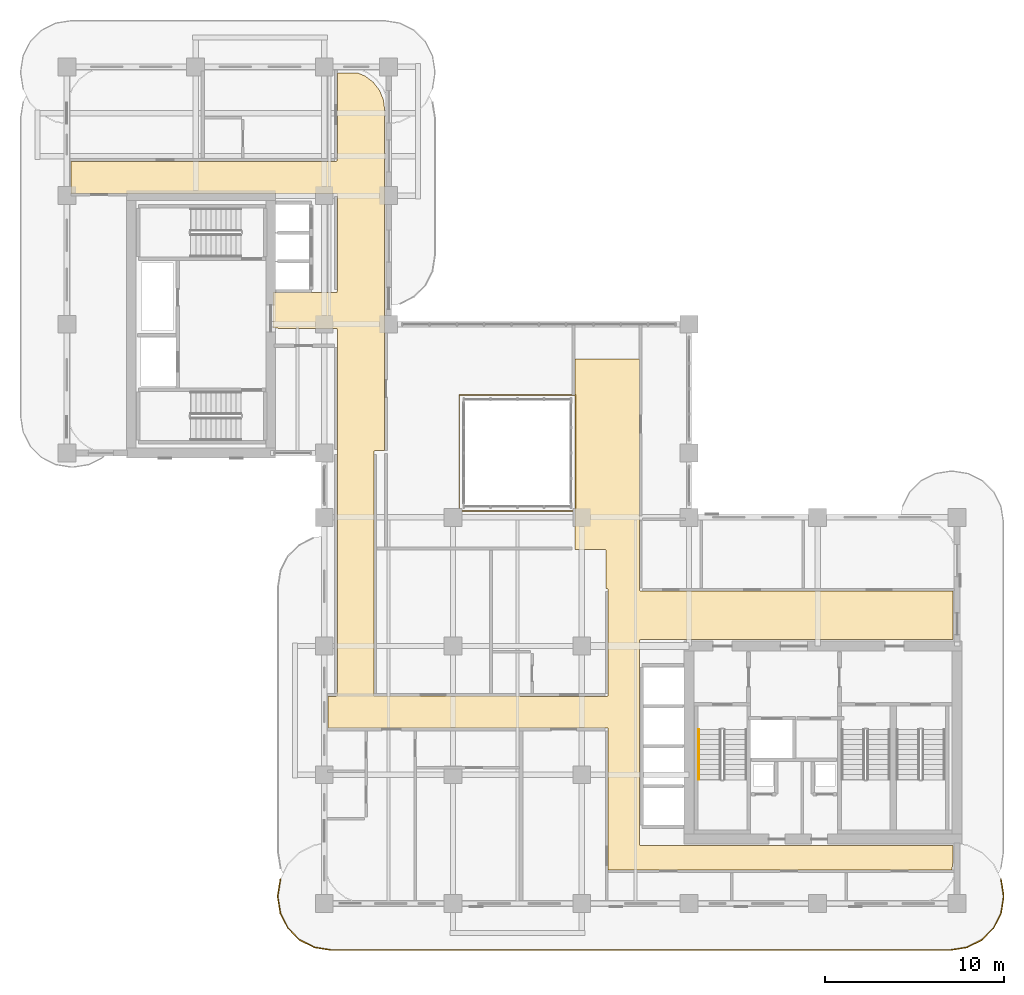
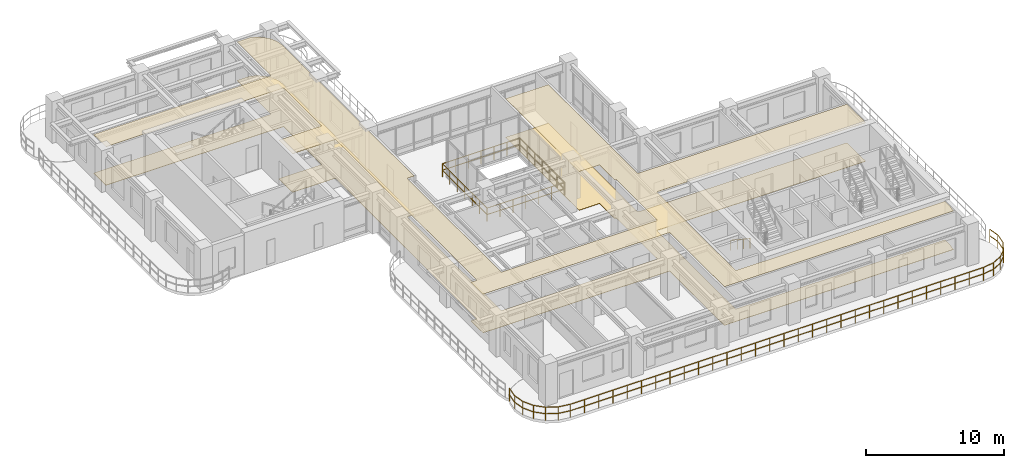
# One storey, part 18 of 20: 3 railings, 2 coverings.
"""IFC4 building model written with IfcOpenShell, lengths in metres."""

from ifc_helpers import new_model, si_unit, derived_unit, direction, frame, origin, origin_2d, place, context, subcontext, project, spatial, polyline, rectangle, outline, extrude, material, layer, layer_set, type_object, element, save


model = new_model("IFC4")

# Units and contexts
model_context = context("Model", 3, precision=1e-05, world=origin(), true_north=direction((0.0, 1.0)))
body_context = subcontext(model_context, "Body", "Model", "MODEL_VIEW")
ifc_project = project(units=[si_unit("LENGTHUNIT", "METRE"), si_unit("AREAUNIT", "SQUARE_METRE"), si_unit("VOLUMEUNIT", "CUBIC_METRE"), si_unit("PLANEANGLEUNIT", "RADIAN"), si_unit("MASSUNIT", "GRAM", prefix="KILO"), si_unit("THERMODYNAMICTEMPERATUREUNIT", "KELVIN"), si_unit("POWERUNIT", "WATT"), derived_unit("THERMALTRANSMITTANCEUNIT", [(si_unit("POWERUNIT", "WATT"), 1), (si_unit("AREAUNIT", "SQUARE_METRE"), -1), (si_unit("THERMODYNAMICTEMPERATUREUNIT", "KELVIN"), -1)])], contexts=[model_context])

# Site, building, storey
site_placement = place(None, origin())
site = spatial("IfcSite", under=ifc_project, at=site_placement, CompositionType="ELEMENT")
building_placement = place(site_placement, origin())
building = spatial("IfcBuilding", under=site, at=building_placement, Name="Zahravan Archway Hotel and Residences", CompositionType="ELEMENT")
storey_placement = place(building_placement, frame((0.0, 0.0, 115.5)))
storey = spatial("IfcBuildingStorey", under=building, at=storey_placement, Name="L28", CompositionType="ELEMENT", Elevation=115.5)

# Coverings
ifc_material_1 = material(Name="Perforated Acoustic Gypsum Ceiling")
ifc_layer_1 = layer(ifc_material_1, 0.02490234375, Name="Perforated Acoustic Gypsum Ceiling")
ifc_layer_set_1 = layer_set([ifc_layer_1], Name="Perforated Acoustic Gypsum Ceiling")
covering_type_1 = type_object("IfcCoveringType", Name="COV-CEIL-ACST", PredefinedType="CEILING", material=ifc_layer_set_1)
covering_1_placement = place(storey_placement, frame((0.0, 0.0, 3.425048828125)))
element("IfcCovering", 1, at=covering_1_placement, inside=storey, type_object=covering_type_1, Name="L28 Acoustic Corridor Ceiling", PredefinedType="CEILING", context=body_context, shape_type="SweptSolid", body=[
    extrude(outline(polyline([(32.08447265625, 14.75341796875), (32.04345703125, 14.731689453125), (32.021484375, 14.690673828125), (32.02001953125, 3.324951171875), (32.033447265625, 3.280517578125), (32.0693359375, 3.251220703125), (49.580078125, 3.2451171875), (49.580078125, 2.414306640625), (49.509521484375, 1.8798828125), (30.280029296875, 1.8798828125), (30.280029296875, 9.75), (30.2666015625, 9.79443359375), (30.230712890625, 9.823974609375), (14.6201171875, 9.830078125), (14.6201171875, 11.590087890625), (15.050048828125, 11.590087890625), (15.094482421875, 11.603515625), (15.123779296875, 11.639404296875), (15.1298828125, 32.10009765625), (15.116455078125, 32.144287109375), (15.08056640625, 32.173828125), (11.530029296875, 32.179931640625), (11.530029296875, 34.169921875), (15.050048828125, 34.169921875), (15.094482421875, 34.18359375), (15.123779296875, 34.219482421875), (15.1298828125, 39.64990234375), (15.116455078125, 39.6943359375), (15.08056640625, 39.723876953125), (0.22998046875, 39.72998046875), (0.22998046875, 41.52001953125), (15.050048828125, 41.52001953125), (15.094482421875, 41.533447265625), (15.123779296875, 41.5693359375), (15.1298828125, 46.469970703125), (16.24560546875, 46.469970703125), (16.689208984375, 46.286376953125), (17.14013671875, 45.940185546875), (17.486328125, 45.489013671875), (17.703857421875, 44.9638671875), (17.77001953125, 44.46142578125), (17.77001953125, 25.330078125), (17.25, 25.330078125), (17.20556640625, 25.31640625), (17.176025390625, 25.280517578125), (17.169921875, 11.669921875), (17.18359375, 11.62548828125), (17.219482421875, 11.59619140625), (30.199951171875, 11.590087890625), (30.244384765625, 11.603515625), (30.27392578125, 11.639404296875), (30.280029296875, 17.550048828125), (30.2666015625, 17.594482421875), (30.230712890625, 17.623779296875), (30.14990234375, 17.6298828125), (30.14990234375, 19.77001953125), (30.122802734375, 19.7998046875), (28.429931640625, 19.800048828125), (28.429931640625, 30.469970703125), (32.02001953125, 30.469970703125), (32.02001953125, 17.550048828125), (32.033447265625, 17.505615234375), (32.0693359375, 17.47607421875), (49.580078125, 17.469970703125), (49.580078125, 14.7548828125), (32.10009765625, 14.7548828125), (32.08447265625, 14.75341796875)])), origin(), (0.0, 0.0, 1.0), 0.02490234375),
])
ifc_material_2 = material(Name="Honed Margalla Limestone & Mortar Bed", Category="masonry")
ifc_layer_2 = layer(ifc_material_2, 0.030029296875, Name="Honed Margalla Limestone & Mortar Bed", Category="masonry")
ifc_layer_set_2 = layer_set([ifc_layer_2], Name="Honed Margalla Limestone & Mortar Bed")
covering_type_2 = type_object("IfcCoveringType", Name="COV-FLR-STONE", PredefinedType="FLOORING", material=ifc_layer_set_2)
covering_2_placement = place(storey_placement, origin())
element("IfcCovering", 2, at=covering_2_placement, inside=storey, type_object=covering_type_2, Name="L28 Circulation Floor Finish", PredefinedType="FLOORING", context=body_context, shape_type="SweptSolid", body=[
    extrude(outline(polyline([(32.08447265625, 14.75341796875), (32.04345703125, 14.731689453125), (32.021484375, 14.690673828125), (32.02001953125, 3.324951171875), (32.033447265625, 3.280517578125), (32.0693359375, 3.251220703125), (49.580078125, 3.2451171875), (49.580078125, 2.414306640625), (49.509521484375, 1.8798828125), (30.280029296875, 1.8798828125), (30.280029296875, 9.75), (30.2666015625, 9.79443359375), (30.230712890625, 9.823974609375), (14.6201171875, 9.830078125), (14.6201171875, 11.590087890625), (15.050048828125, 11.590087890625), (15.094482421875, 11.603515625), (15.123779296875, 11.639404296875), (15.1298828125, 32.10009765625), (15.116455078125, 32.144287109375), (15.08056640625, 32.173828125), (11.530029296875, 32.179931640625), (11.530029296875, 34.169921875), (15.050048828125, 34.169921875), (15.094482421875, 34.18359375), (15.123779296875, 34.219482421875), (15.1298828125, 39.64990234375), (15.116455078125, 39.6943359375), (15.08056640625, 39.723876953125), (0.22998046875, 39.72998046875), (0.22998046875, 41.52001953125), (15.050048828125, 41.52001953125), (15.094482421875, 41.533447265625), (15.123779296875, 41.5693359375), (15.1298828125, 46.469970703125), (16.24560546875, 46.469970703125), (16.689208984375, 46.286376953125), (17.14013671875, 45.940185546875), (17.486328125, 45.489013671875), (17.703857421875, 44.9638671875), (17.77001953125, 44.46142578125), (17.77001953125, 25.330078125), (17.25, 25.330078125), (17.20556640625, 25.31640625), (17.176025390625, 25.280517578125), (17.169921875, 11.669921875), (17.18359375, 11.62548828125), (17.219482421875, 11.59619140625), (30.199951171875, 11.590087890625), (30.244384765625, 11.603515625), (30.27392578125, 11.639404296875), (30.280029296875, 17.550048828125), (30.2666015625, 17.594482421875), (30.230712890625, 17.623779296875), (30.14990234375, 17.6298828125), (30.14990234375, 19.77001953125), (30.122802734375, 19.7998046875), (28.429931640625, 19.800048828125), (28.429931640625, 30.469970703125), (32.02001953125, 30.469970703125), (32.02001953125, 17.550048828125), (32.033447265625, 17.505615234375), (32.0693359375, 17.47607421875), (49.580078125, 17.469970703125), (49.580078125, 14.7548828125), (32.10009765625, 14.7548828125), (32.08447265625, 14.75341796875)])), origin(), (0.0, 0.0, 1.0), 0.030029296875),
])

# Railings
ifc_material_3 = material(Name="Atrium Laminated Glass Guardrail", Category="glass")
railing_type_1 = type_object("IfcRailingType", Name="RL-ATR-1200", PredefinedType="BALUSTRADE", material=ifc_material_3)
railing_1_placement = place(storey_placement, frame((21.949951171875, 21.949951171875, 0.0)))
element("IfcRailing", 3, at=railing_1_placement, inside=storey, type_object=railing_type_1, Name="L28 Balustrade RL-ATR-L28", PredefinedType="BALUSTRADE", context=body_context, shape_type="SweptSolid", body=[
    extrude(rectangle(XDim=0.048095703125, YDim=0.048095703125, at=origin_2d()), frame((0.0, 0.0, 1.17578125), z_axis=(1.0, 0.0, 0.0), x_axis=(0.0, 1.0, 0.0)), (0.0, 0.0, 1.0), 6.5),
    extrude(rectangle(XDim=0.048095703125, YDim=0.048095703125, at=origin_2d()), frame((0.0, 0.0, 0.60009765625), z_axis=(1.0, 0.0, 0.0), x_axis=(0.0, 1.0, 0.0)), (0.0, 0.0, 1.0), 6.5),
    extrude(rectangle(XDim=0.048095703125, YDim=0.048095703125, at=origin_2d()), frame((6.5, 0.0, 1.17578125), z_axis=(0.0, 1.0, 0.0), x_axis=(-1.0, 0.0, 0.0)), (0.0, 0.0, 1.0), 6.5),
    extrude(rectangle(XDim=0.048095703125, YDim=0.048095703125, at=origin_2d()), frame((6.5, 0.0, 0.60009765625), z_axis=(0.0, 1.0, 0.0), x_axis=(-1.0, 0.0, 0.0)), (0.0, 0.0, 1.0), 6.5),
    extrude(rectangle(XDim=0.048095703125, YDim=0.048095703125, at=origin_2d()), frame((6.5, 6.5, 1.17578125), z_axis=(-1.0, 0.0, 0.0), x_axis=(0.0, -1.0, 0.0)), (0.0, 0.0, 1.0), 6.5),
    extrude(rectangle(XDim=0.048095703125, YDim=0.048095703125, at=origin_2d()), frame((6.5, 6.5, 0.60009765625), z_axis=(-1.0, 0.0, 0.0), x_axis=(0.0, -1.0, 0.0)), (0.0, 0.0, 1.0), 6.5),
    extrude(rectangle(XDim=0.048095703125, YDim=0.048095703125, at=origin_2d()), frame((0.0, 6.5, 1.17578125), z_axis=(0.0, -1.0, 0.0), x_axis=(1.0, 0.0, 0.0)), (0.0, 0.0, 1.0), 6.5),
    extrude(rectangle(XDim=0.048095703125, YDim=0.048095703125, at=origin_2d()), frame((0.0, 6.5, 0.60009765625), z_axis=(0.0, -1.0, 0.0), x_axis=(1.0, 0.0, 0.0)), (0.0, 0.0, 1.0), 6.5),
    extrude(rectangle(XDim=0.0419921875, YDim=0.0419921875, at=origin_2d()), origin(), (0.0, 0.0, 1.0), 1.15185546875),
    extrude(rectangle(XDim=0.0419921875, YDim=0.0419921875, at=origin_2d()), frame((1.083251953125, 0.0, 0.0)), (0.0, 0.0, 1.0), 1.15185546875),
    extrude(rectangle(XDim=0.0419921875, YDim=0.0419921875, at=origin_2d()), frame((2.166748046875, 0.0, 0.0)), (0.0, 0.0, 1.0), 1.15185546875),
    extrude(rectangle(XDim=0.0419921875, YDim=0.0419921875, at=origin_2d()), frame((3.25, 0.0, 0.0)), (0.0, 0.0, 1.0), 1.15185546875),
    extrude(rectangle(XDim=0.0419921875, YDim=0.0419921875, at=origin_2d()), frame((4.333251953125, 0.0, 0.0)), (0.0, 0.0, 1.0), 1.15185546875),
    extrude(rectangle(XDim=0.0419921875, YDim=0.0419921875, at=origin_2d()), frame((5.416748046875, 0.0, 0.0)), (0.0, 0.0, 1.0), 1.15185546875),
    extrude(rectangle(XDim=0.0419921875, YDim=0.0419921875, at=origin_2d()), frame((6.5, 0.0, 0.0)), (0.0, 0.0, 1.0), 1.15185546875),
    extrude(rectangle(XDim=0.0419921875, YDim=0.0419921875, at=origin_2d()), frame((6.5, 1.083251953125, 0.0)), (0.0, 0.0, 1.0), 1.15185546875),
    extrude(rectangle(XDim=0.0419921875, YDim=0.0419921875, at=origin_2d()), frame((6.5, 2.166748046875, 0.0)), (0.0, 0.0, 1.0), 1.15185546875),
    extrude(rectangle(XDim=0.0419921875, YDim=0.0419921875, at=origin_2d()), frame((6.5, 3.25, 0.0)), (0.0, 0.0, 1.0), 1.15185546875),
    extrude(rectangle(XDim=0.0419921875, YDim=0.0419921875, at=origin_2d()), frame((6.5, 4.333251953125, 0.0)), (0.0, 0.0, 1.0), 1.15185546875),
    extrude(rectangle(XDim=0.0419921875, YDim=0.0419921875, at=origin_2d()), frame((6.5, 5.416748046875, 0.0)), (0.0, 0.0, 1.0), 1.15185546875),
    extrude(rectangle(XDim=0.0419921875, YDim=0.0419921875, at=origin_2d()), frame((6.5, 6.5, 0.0)), (0.0, 0.0, 1.0), 1.15185546875),
    extrude(rectangle(XDim=0.0419921875, YDim=0.0419921875, at=origin_2d()), frame((5.416748046875, 6.5, 0.0)), (0.0, 0.0, 1.0), 1.15185546875),
    extrude(rectangle(XDim=0.0419921875, YDim=0.0419921875, at=origin_2d()), frame((4.333251953125, 6.5, 0.0)), (0.0, 0.0, 1.0), 1.15185546875),
    extrude(rectangle(XDim=0.0419921875, YDim=0.0419921875, at=origin_2d()), frame((3.25, 6.5, 0.0)), (0.0, 0.0, 1.0), 1.15185546875),
    extrude(rectangle(XDim=0.0419921875, YDim=0.0419921875, at=origin_2d()), frame((2.166748046875, 6.5, 0.0)), (0.0, 0.0, 1.0), 1.15185546875),
    extrude(rectangle(XDim=0.0419921875, YDim=0.0419921875, at=origin_2d()), frame((1.083251953125, 6.5, 0.0)), (0.0, 0.0, 1.0), 1.15185546875),
    extrude(rectangle(XDim=0.0419921875, YDim=0.0419921875, at=origin_2d()), frame((0.0, 6.5, 0.0)), (0.0, 0.0, 1.0), 1.15185546875),
    extrude(rectangle(XDim=0.0419921875, YDim=0.0419921875, at=origin_2d()), frame((0.0, 5.416748046875, 0.0)), (0.0, 0.0, 1.0), 1.15185546875),
    extrude(rectangle(XDim=0.0419921875, YDim=0.0419921875, at=origin_2d()), frame((0.0, 4.333251953125, 0.0)), (0.0, 0.0, 1.0), 1.15185546875),
    extrude(rectangle(XDim=0.0419921875, YDim=0.0419921875, at=origin_2d()), frame((0.0, 3.25, 0.0)), (0.0, 0.0, 1.0), 1.15185546875),
    extrude(rectangle(XDim=0.0419921875, YDim=0.0419921875, at=origin_2d()), frame((0.0, 2.166748046875, 0.0)), (0.0, 0.0, 1.0), 1.15185546875),
    extrude(rectangle(XDim=0.0419921875, YDim=0.0419921875, at=origin_2d()), frame((0.0, 1.083251953125, 0.0)), (0.0, 0.0, 1.0), 1.15185546875),
])
ifc_material_4 = material(Name="Bronze & Laminated Glass Balustrade", Category="glass")
railing_type_2 = type_object("IfcRailingType", Name="RL-BAL-1200", PredefinedType="BALUSTRADE", material=ifc_material_4)
railing_2_placement = place(storey_placement, frame((52.255615234375, 1.361572265625, 0.0)))
element("IfcRailing", 4, at=railing_2_placement, inside=storey, type_object=railing_type_2, Name="L28 Balustrade RL-SLB-BAL-L28-SA-1", PredefinedType="BALUSTRADE", context=body_context, shape_type="SweptSolid", body=[
    extrude(rectangle(XDim=0.048095703125, YDim=0.048095703125, at=origin_2d()), frame((0.0, 0.0, 1.17578125), z_axis=(0.156329311416, -0.987704989555, 0.0), x_axis=(0.987704989555, 0.156329311416, 0.0)), (0.0, 0.0, 1.0), 0.9228515625),
    extrude(rectangle(XDim=0.048095703125, YDim=0.048095703125, at=origin_2d()), frame((0.0, 0.0, 0.60009765625), z_axis=(0.156329311416, -0.987704989555, 0.0), x_axis=(0.987704989555, 0.156329311416, 0.0)), (0.0, 0.0, 1.0), 0.9228515625),
    extrude(rectangle(XDim=0.048095703125, YDim=0.048095703125, at=origin_2d()), frame((0.144287109375, -0.91162109375, 1.17578125), z_axis=(0.0, -1.0, 0.0), x_axis=(1.0, 0.0, 0.0)), (0.0, 0.0, 1.0), 0.099853515625),
    extrude(rectangle(XDim=0.048095703125, YDim=0.048095703125, at=origin_2d()), frame((0.144287109375, -0.91162109375, 0.60009765625), z_axis=(0.0, -1.0, 0.0), x_axis=(1.0, 0.0, 0.0)), (0.0, 0.0, 1.0), 0.099853515625),
    extrude(rectangle(XDim=0.048095703125, YDim=0.048095703125, at=origin_2d()), frame((0.144287109375, -1.011474609375, 1.17578125), z_axis=(-0.156329311416, -0.987704989555, 0.0), x_axis=(0.987704989555, -0.156329311416, 0.0)), (0.0, 0.0, 1.0), 0.9228515625),
    extrude(rectangle(XDim=0.048095703125, YDim=0.048095703125, at=origin_2d()), frame((0.144287109375, -1.011474609375, 0.60009765625), z_axis=(-0.156329311416, -0.987704989555, 0.0), x_axis=(0.987704989555, -0.156329311416, 0.0)), (0.0, 0.0, 1.0), 0.9228515625),
    extrude(rectangle(XDim=0.048095703125, YDim=0.048095703125, at=origin_2d()), frame((0.0, -1.923095703125, 1.17578125), z_axis=(-0.453866348456, -0.891069771532, 0.0), x_axis=(0.891069771532, -0.453866348456, 0.0)), (0.0, 0.0, 1.0), 0.923095703125),
    extrude(rectangle(XDim=0.048095703125, YDim=0.048095703125, at=origin_2d()), frame((0.0, -1.923095703125, 0.60009765625), z_axis=(-0.453866348456, -0.891069771532, 0.0), x_axis=(0.891069771532, -0.453866348456, 0.0)), (0.0, 0.0, 1.0), 0.923095703125),
    extrude(rectangle(XDim=0.048095703125, YDim=0.048095703125, at=origin_2d()), frame((-0.4189453125, -2.74560546875, 1.17578125), z_axis=(-0.707106781187, -0.707106781187, 0.0), x_axis=(0.707106781187, -0.707106781187, 0.0)), (0.0, 0.0, 1.0), 0.9228515625),
    extrude(rectangle(XDim=0.048095703125, YDim=0.048095703125, at=origin_2d()), frame((-0.4189453125, -2.74560546875, 0.60009765625), z_axis=(-0.707106781187, -0.707106781187, 0.0), x_axis=(0.707106781187, -0.707106781187, 0.0)), (0.0, 0.0, 1.0), 0.9228515625),
    extrude(rectangle(XDim=0.048095703125, YDim=0.048095703125, at=origin_2d()), frame((-1.071533203125, -3.398193359375, 1.17578125), z_axis=(-0.891069771532, -0.453866348456, 0.0), x_axis=(0.453866348456, -0.891069771532, 0.0)), (0.0, 0.0, 1.0), 0.923095703125),
    extrude(rectangle(XDim=0.048095703125, YDim=0.048095703125, at=origin_2d()), frame((-1.071533203125, -3.398193359375, 0.60009765625), z_axis=(-0.891069771532, -0.453866348456, 0.0), x_axis=(0.453866348456, -0.891069771532, 0.0)), (0.0, 0.0, 1.0), 0.923095703125),
    extrude(rectangle(XDim=0.048095703125, YDim=0.048095703125, at=origin_2d()), frame((-1.89404296875, -3.817138671875, 1.17578125), z_axis=(-0.98766411426, -0.156587347521, 0.0), x_axis=(0.156587347521, -0.98766411426, 0.0)), (0.0, 0.0, 1.0), 0.923095703125),
    extrude(rectangle(XDim=0.048095703125, YDim=0.048095703125, at=origin_2d()), frame((-1.89404296875, -3.817138671875, 0.60009765625), z_axis=(-0.98766411426, -0.156587347521, 0.0), x_axis=(0.156587347521, -0.98766411426, 0.0)), (0.0, 0.0, 1.0), 0.923095703125),
    extrude(rectangle(XDim=0.048095703125, YDim=0.048095703125, at=origin_2d()), frame((-2.8056640625, -3.961669921875, 1.17578125), z_axis=(-1.0, 0.0, 0.0), x_axis=(0.0, -1.0, 0.0)), (0.0, 0.0, 1.0), 34.699951171875),
    extrude(rectangle(XDim=0.048095703125, YDim=0.048095703125, at=origin_2d()), frame((-2.8056640625, -3.961669921875, 0.60009765625), z_axis=(-1.0, 0.0, 0.0), x_axis=(0.0, -1.0, 0.0)), (0.0, 0.0, 1.0), 34.699951171875),
    extrude(rectangle(XDim=0.048095703125, YDim=0.048095703125, at=origin_2d()), frame((-37.505615234375, -3.961669921875, 1.17578125), z_axis=(-0.98766411426, 0.156587347521, 0.0), x_axis=(-0.156587347521, -0.98766411426, 0.0)), (0.0, 0.0, 1.0), 0.923095703125),
    extrude(rectangle(XDim=0.048095703125, YDim=0.048095703125, at=origin_2d()), frame((-37.505615234375, -3.961669921875, 0.60009765625), z_axis=(-0.98766411426, 0.156587347521, 0.0), x_axis=(-0.156587347521, -0.98766411426, 0.0)), (0.0, 0.0, 1.0), 0.923095703125),
    extrude(rectangle(XDim=0.048095703125, YDim=0.048095703125, at=origin_2d()), frame((-38.417236328125, -3.817138671875, 1.17578125), z_axis=(-0.891015268556, 0.453973337542, 0.0), x_axis=(-0.453973337542, -0.891015268556, 0.0)), (0.0, 0.0, 1.0), 0.9228515625),
    extrude(rectangle(XDim=0.048095703125, YDim=0.048095703125, at=origin_2d()), frame((-38.417236328125, -3.817138671875, 0.60009765625), z_axis=(-0.891015268556, 0.453973337542, 0.0), x_axis=(-0.453973337542, -0.891015268556, 0.0)), (0.0, 0.0, 1.0), 0.9228515625),
    extrude(rectangle(XDim=0.048095703125, YDim=0.048095703125, at=origin_2d()), frame((-39.239501953125, -3.398193359375, 1.17578125), z_axis=(-0.707239012465, 0.706974525176, 0.0), x_axis=(-0.706974525176, -0.707239012465, 0.0)), (0.0, 0.0, 1.0), 0.923095703125),
    extrude(rectangle(XDim=0.048095703125, YDim=0.048095703125, at=origin_2d()), frame((-39.239501953125, -3.398193359375, 0.60009765625), z_axis=(-0.707239012465, 0.706974525176, 0.0), x_axis=(-0.706974525176, -0.707239012465, 0.0)), (0.0, 0.0, 1.0), 0.923095703125),
    extrude(rectangle(XDim=0.048095703125, YDim=0.048095703125, at=origin_2d()), frame((-39.892333984375, -2.74560546875, 1.17578125), z_axis=(-0.453866348456, 0.891069771532, 0.0), x_axis=(-0.891069771532, -0.453866348456, 0.0)), (0.0, 0.0, 1.0), 0.923095703125),
    extrude(rectangle(XDim=0.048095703125, YDim=0.048095703125, at=origin_2d()), frame((-39.892333984375, -2.74560546875, 0.60009765625), z_axis=(-0.453866348456, 0.891069771532, 0.0), x_axis=(-0.891069771532, -0.453866348456, 0.0)), (0.0, 0.0, 1.0), 0.923095703125),
    extrude(rectangle(XDim=0.048095703125, YDim=0.048095703125, at=origin_2d()), frame((-40.311279296875, -1.923095703125, 1.17578125), z_axis=(-0.156329311416, 0.987704989555, 0.0), x_axis=(-0.987704989555, -0.156329311416, 0.0)), (0.0, 0.0, 1.0), 0.9228515625),
    extrude(rectangle(XDim=0.048095703125, YDim=0.048095703125, at=origin_2d()), frame((-40.311279296875, -1.923095703125, 0.60009765625), z_axis=(-0.156329311416, 0.987704989555, 0.0), x_axis=(-0.987704989555, -0.156329311416, 0.0)), (0.0, 0.0, 1.0), 0.9228515625),
    extrude(rectangle(XDim=0.048095703125, YDim=0.048095703125, at=origin_2d()), frame((-40.45556640625, -1.011474609375, 1.17578125), z_axis=(0.0, 1.0, 0.0), x_axis=(-1.0, 0.0, 0.0)), (0.0, 0.0, 1.0), 0.099853515625),
    extrude(rectangle(XDim=0.048095703125, YDim=0.048095703125, at=origin_2d()), frame((-40.45556640625, -1.011474609375, 0.60009765625), z_axis=(0.0, 1.0, 0.0), x_axis=(-1.0, 0.0, 0.0)), (0.0, 0.0, 1.0), 0.099853515625),
    extrude(rectangle(XDim=0.048095703125, YDim=0.048095703125, at=origin_2d()), frame((-40.45556640625, -0.91162109375, 1.17578125), z_axis=(0.156329311416, 0.987704989555, 0.0), x_axis=(-0.987704989555, 0.156329311416, 0.0)), (0.0, 0.0, 1.0), 0.9228515625),
    extrude(rectangle(XDim=0.048095703125, YDim=0.048095703125, at=origin_2d()), frame((-40.45556640625, -0.91162109375, 0.60009765625), z_axis=(0.156329311416, 0.987704989555, 0.0), x_axis=(-0.987704989555, 0.156329311416, 0.0)), (0.0, 0.0, 1.0), 0.9228515625),
    extrude(rectangle(XDim=0.0419921875, YDim=0.0419921875, at=origin_2d()), origin(), (0.0, 0.0, 1.0), 1.15185546875),
    extrude(rectangle(XDim=0.0419921875, YDim=0.0419921875, at=origin_2d()), frame((0.144287109375, -0.91162109375, 0.0)), (0.0, 0.0, 1.0), 1.15185546875),
    extrude(rectangle(XDim=0.0419921875, YDim=0.0419921875, at=origin_2d()), frame((0.0, -1.923095703125, 0.0)), (0.0, 0.0, 1.0), 1.15185546875),
    extrude(rectangle(XDim=0.0419921875, YDim=0.0419921875, at=origin_2d()), frame((-0.4189453125, -2.74560546875, 0.0)), (0.0, 0.0, 1.0), 1.15185546875),
    extrude(rectangle(XDim=0.0419921875, YDim=0.0419921875, at=origin_2d()), frame((-1.071533203125, -3.398193359375, 0.0)), (0.0, 0.0, 1.0), 1.15185546875),
    extrude(rectangle(XDim=0.0419921875, YDim=0.0419921875, at=origin_2d()), frame((-1.89404296875, -3.817138671875, 0.0)), (0.0, 0.0, 1.0), 1.15185546875),
    extrude(rectangle(XDim=0.0419921875, YDim=0.0419921875, at=origin_2d()), frame((-2.8056640625, -3.961669921875, 0.0)), (0.0, 0.0, 1.0), 1.15185546875),
    extrude(rectangle(XDim=0.0419921875, YDim=0.0419921875, at=origin_2d()), frame((-4.002197265625, -3.961669921875, 0.0)), (0.0, 0.0, 1.0), 1.15185546875),
    extrude(rectangle(XDim=0.0419921875, YDim=0.0419921875, at=origin_2d()), frame((-5.19873046875, -3.961669921875, 0.0)), (0.0, 0.0, 1.0), 1.15185546875),
    extrude(rectangle(XDim=0.0419921875, YDim=0.0419921875, at=origin_2d()), frame((-6.395263671875, -3.961669921875, 0.0)), (0.0, 0.0, 1.0), 1.15185546875),
    extrude(rectangle(XDim=0.0419921875, YDim=0.0419921875, at=origin_2d()), frame((-7.591796875, -3.961669921875, 0.0)), (0.0, 0.0, 1.0), 1.15185546875),
    extrude(rectangle(XDim=0.0419921875, YDim=0.0419921875, at=origin_2d()), frame((-8.788330078125, -3.961669921875, 0.0)), (0.0, 0.0, 1.0), 1.15185546875),
    extrude(rectangle(XDim=0.0419921875, YDim=0.0419921875, at=origin_2d()), frame((-9.98486328125, -3.961669921875, 0.0)), (0.0, 0.0, 1.0), 1.15185546875),
    extrude(rectangle(XDim=0.0419921875, YDim=0.0419921875, at=origin_2d()), frame((-11.181396484375, -3.961669921875, 0.0)), (0.0, 0.0, 1.0), 1.15185546875),
    extrude(rectangle(XDim=0.0419921875, YDim=0.0419921875, at=origin_2d()), frame((-12.378173828125, -3.961669921875, 0.0)), (0.0, 0.0, 1.0), 1.15185546875),
    extrude(rectangle(XDim=0.0419921875, YDim=0.0419921875, at=origin_2d()), frame((-13.57470703125, -3.961669921875, 0.0)), (0.0, 0.0, 1.0), 1.15185546875),
    extrude(rectangle(XDim=0.0419921875, YDim=0.0419921875, at=origin_2d()), frame((-14.771240234375, -3.961669921875, 0.0)), (0.0, 0.0, 1.0), 1.15185546875),
    extrude(rectangle(XDim=0.0419921875, YDim=0.0419921875, at=origin_2d()), frame((-15.9677734375, -3.961669921875, 0.0)), (0.0, 0.0, 1.0), 1.15185546875),
    extrude(rectangle(XDim=0.0419921875, YDim=0.0419921875, at=origin_2d()), frame((-17.164306640625, -3.961669921875, 0.0)), (0.0, 0.0, 1.0), 1.15185546875),
    extrude(rectangle(XDim=0.0419921875, YDim=0.0419921875, at=origin_2d()), frame((-18.36083984375, -3.961669921875, 0.0)), (0.0, 0.0, 1.0), 1.15185546875),
    extrude(rectangle(XDim=0.0419921875, YDim=0.0419921875, at=origin_2d()), frame((-19.557373046875, -3.961669921875, 0.0)), (0.0, 0.0, 1.0), 1.15185546875),
    extrude(rectangle(XDim=0.0419921875, YDim=0.0419921875, at=origin_2d()), frame((-20.75390625, -3.961669921875, 0.0)), (0.0, 0.0, 1.0), 1.15185546875),
    extrude(rectangle(XDim=0.0419921875, YDim=0.0419921875, at=origin_2d()), frame((-21.950439453125, -3.961669921875, 0.0)), (0.0, 0.0, 1.0), 1.15185546875),
    extrude(rectangle(XDim=0.0419921875, YDim=0.0419921875, at=origin_2d()), frame((-23.14697265625, -3.961669921875, 0.0)), (0.0, 0.0, 1.0), 1.15185546875),
    extrude(rectangle(XDim=0.0419921875, YDim=0.0419921875, at=origin_2d()), frame((-24.343505859375, -3.961669921875, 0.0)), (0.0, 0.0, 1.0), 1.15185546875),
    extrude(rectangle(XDim=0.0419921875, YDim=0.0419921875, at=origin_2d()), frame((-25.5400390625, -3.961669921875, 0.0)), (0.0, 0.0, 1.0), 1.15185546875),
    extrude(rectangle(XDim=0.0419921875, YDim=0.0419921875, at=origin_2d()), frame((-26.736572265625, -3.961669921875, 0.0)), (0.0, 0.0, 1.0), 1.15185546875),
    extrude(rectangle(XDim=0.0419921875, YDim=0.0419921875, at=origin_2d()), frame((-27.93310546875, -3.961669921875, 0.0)), (0.0, 0.0, 1.0), 1.15185546875),
    extrude(rectangle(XDim=0.0419921875, YDim=0.0419921875, at=origin_2d()), frame((-29.1298828125, -3.961669921875, 0.0)), (0.0, 0.0, 1.0), 1.15185546875),
    extrude(rectangle(XDim=0.0419921875, YDim=0.0419921875, at=origin_2d()), frame((-30.326416015625, -3.961669921875, 0.0)), (0.0, 0.0, 1.0), 1.15185546875),
    extrude(rectangle(XDim=0.0419921875, YDim=0.0419921875, at=origin_2d()), frame((-31.52294921875, -3.961669921875, 0.0)), (0.0, 0.0, 1.0), 1.15185546875),
    extrude(rectangle(XDim=0.0419921875, YDim=0.0419921875, at=origin_2d()), frame((-32.719482421875, -3.961669921875, 0.0)), (0.0, 0.0, 1.0), 1.15185546875),
    extrude(rectangle(XDim=0.0419921875, YDim=0.0419921875, at=origin_2d()), frame((-33.916015625, -3.961669921875, 0.0)), (0.0, 0.0, 1.0), 1.15185546875),
    extrude(rectangle(XDim=0.0419921875, YDim=0.0419921875, at=origin_2d()), frame((-35.112548828125, -3.961669921875, 0.0)), (0.0, 0.0, 1.0), 1.15185546875),
    extrude(rectangle(XDim=0.0419921875, YDim=0.0419921875, at=origin_2d()), frame((-36.30908203125, -3.961669921875, 0.0)), (0.0, 0.0, 1.0), 1.15185546875),
    extrude(rectangle(XDim=0.0419921875, YDim=0.0419921875, at=origin_2d()), frame((-37.505615234375, -3.961669921875, 0.0)), (0.0, 0.0, 1.0), 1.15185546875),
    extrude(rectangle(XDim=0.0419921875, YDim=0.0419921875, at=origin_2d()), frame((-38.417236328125, -3.817138671875, 0.0)), (0.0, 0.0, 1.0), 1.15185546875),
    extrude(rectangle(XDim=0.0419921875, YDim=0.0419921875, at=origin_2d()), frame((-39.239501953125, -3.398193359375, 0.0)), (0.0, 0.0, 1.0), 1.15185546875),
    extrude(rectangle(XDim=0.0419921875, YDim=0.0419921875, at=origin_2d()), frame((-39.892333984375, -2.74560546875, 0.0)), (0.0, 0.0, 1.0), 1.15185546875),
    extrude(rectangle(XDim=0.0419921875, YDim=0.0419921875, at=origin_2d()), frame((-40.311279296875, -1.923095703125, 0.0)), (0.0, 0.0, 1.0), 1.15185546875),
    extrude(rectangle(XDim=0.0419921875, YDim=0.0419921875, at=origin_2d()), frame((-40.45556640625, -1.011474609375, 0.0)), (0.0, 0.0, 1.0), 1.15185546875),
    extrude(rectangle(XDim=0.0419921875, YDim=0.0419921875, at=origin_2d()), frame((-40.311279296875, 0.0, 0.0)), (0.0, 0.0, 1.0), 1.15185546875),
])
ifc_material_5 = material(Name="Brushed Stainless Steel", Category="steel")
railing_type_3 = type_object("IfcRailingType", Name="RL-STH-900", PredefinedType="HANDRAIL", material=ifc_material_5)
railing_3_placement = place(storey_placement, frame((35.35009765625, 9.72998046875, 0.168212890625)))
element("IfcRailing", 5, at=railing_3_placement, inside=storey, type_object=railing_type_3, Name="L28 ST-A1 stair handrail 1", PredefinedType="HANDRAIL", context=body_context, shape_type="SweptSolid", body=[
    extrude(rectangle(XDim=0.048095703125, YDim=0.048095703125, at=origin_2d()), frame((0.0, 0.0, 0.8759765625), z_axis=(0.0, -0.83435981716, 0.551220187865), x_axis=(1.0, 0.0, 0.0)), (0.0, 0.0, 1.0), 3.35595703125),
    extrude(rectangle(XDim=0.0419921875, YDim=0.0419921875, at=origin_2d()), origin(), (0.0, 0.0, 1.0), 0.851806640625),
    extrude(rectangle(XDim=0.0419921875, YDim=0.0419921875, at=origin_2d()), frame((0.0, -0.933349609375, 0.61669921875)), (0.0, 0.0, 1.0), 0.851806640625),
    extrude(rectangle(XDim=0.0419921875, YDim=0.0419921875, at=origin_2d()), frame((0.0, -1.86669921875, 1.233154296875)), (0.0, 0.0, 1.0), 0.851806640625),
    extrude(rectangle(XDim=0.0419921875, YDim=0.0419921875, at=origin_2d()), frame((0.0, -2.800048828125, 1.849853515625)), (0.0, 0.0, 1.0), 0.851806640625),
])

save(model, "model.ifc")
